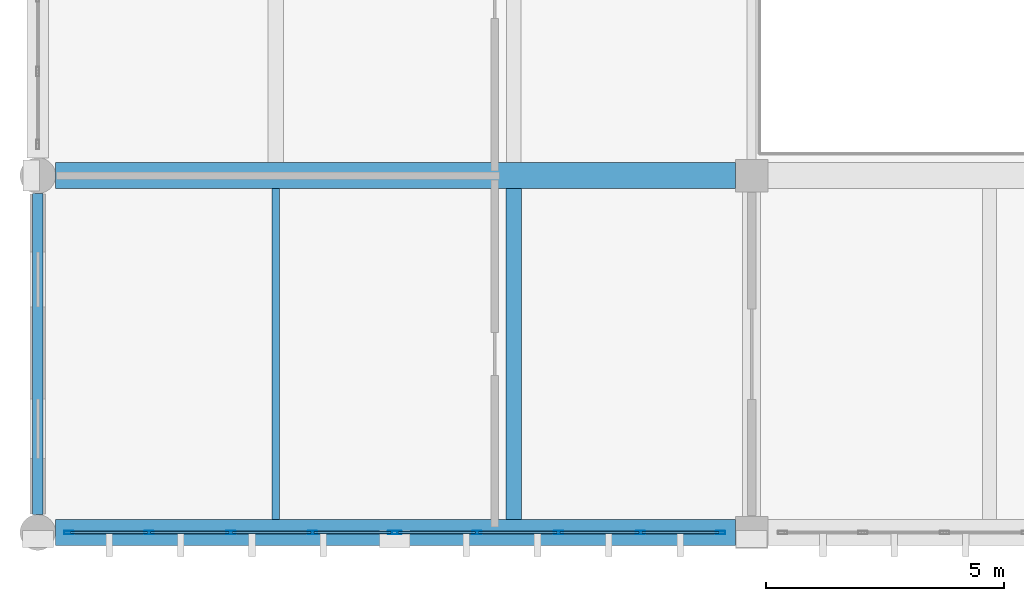
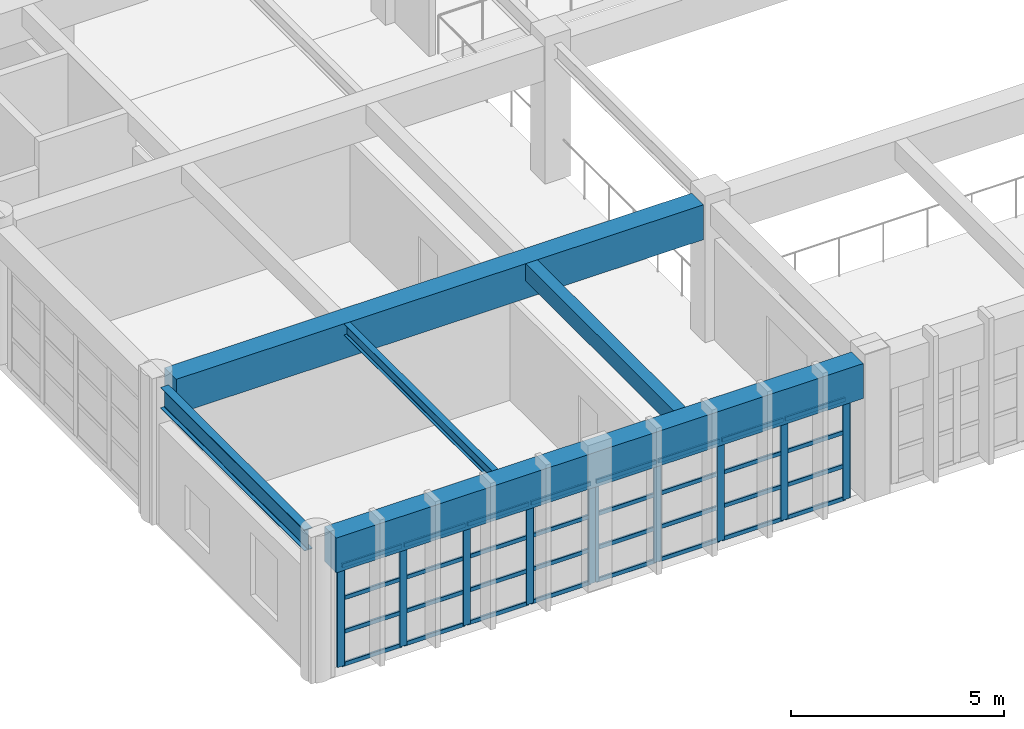
# One storey, part 3 of 132: 42 members, 5 beams, 2 elements without a shape of their own.
"""IFC4 building model written with IfcOpenShell, lengths in metres."""

from ifc_helpers import new_model, si_unit, direction, frame, origin, origin_2d, place, context, subcontext, project, spatial, rectangle, hollow_rectangle, i_section, extrude, material, material_profile, profile_set, type_object, element, aggregate, save


model = new_model("IFC4")

# Units and contexts
model_context = context("Model", 3, precision=1e-05, world=origin(), true_north=direction((0.0, 1.0)))
body_context = subcontext(model_context, "Body", "Model", "MODEL_VIEW")
ifc_project = project(units=[si_unit("LENGTHUNIT", "METRE"), si_unit("AREAUNIT", "SQUARE_METRE"), si_unit("VOLUMEUNIT", "CUBIC_METRE"), si_unit("PLANEANGLEUNIT", "RADIAN"), si_unit("MASSUNIT", "GRAM", prefix="KILO")], contexts=[model_context])

# Site, building, storey
site_placement = place(None, origin())
site = spatial("IfcSite", under=ifc_project, at=site_placement, CompositionType="ELEMENT")
building_placement = place(site_placement, origin())
building = spatial("IfcBuilding", under=site, at=building_placement, Name="Qasida Concert Hall", CompositionType="ELEMENT")
storey_placement = place(building_placement, frame((0.0, 0.0, 4.800048828125)))
storey = spatial("IfcBuildingStorey", under=building, at=storey_placement, Name="L01", CompositionType="ELEMENT", Elevation=4.800048828125)

# Beams
ifc_material_1 = material(Name="Concrete C40/50", Category="concrete")
ifc_material_profile_1 = material_profile(ifc_material_1, rectangle(XDim=0.550048828125, YDim=1.0, at=origin_2d()), Name="RC 550x1000")
ifc_profile_set_1 = profile_set([ifc_material_profile_1], Name="Concrete C40/50")
beam_type_1 = type_object("IfcBeamType", Name="BM-G3", PredefinedType="USERDEFINED", material=ifc_profile_set_1)
for number, where, z_axis, x_axis, name in (
    (1, (0.375, 0.0, 3.419921875), (1.0, 0.0, 0.0), (0.0, 1.0, 0.0), "Primary girder 0896"),
    (2, (0.375, 7.5, 3.419921875), (1.0, 0.0, 0.0), (0.0, 1.0, 0.0), "Primary girder 0899"),
):
    element("IfcBeam", number, at=place(storey_placement, frame(where, z_axis=z_axis, x_axis=x_axis)), inside=storey, type_object=beam_type_1, Name=name, ObjectType="GIRDER", PredefinedType="USERDEFINED", context=body_context, shape_type="SweptSolid", body=[
        extrude(rectangle(XDim=0.550048828125, YDim=1.0, at=origin_2d()), origin(), (0.0, 0.0, 1.0), 14.284912109375),
    ])
ifc_material_2 = material(Name="Steel S355J2", Category="steel")
ifc_material_profile_2 = material_profile(ifc_material_2, i_section(OverallWidth=0.159912109375, OverallDepth=0.330078125, WebThickness=0.007568359375, FlangeThickness=0.011474609375, FilletRadius=0.01806640625, at=origin_2d()), Name="IPE 330")
ifc_profile_set_2 = profile_set([ifc_material_profile_2], Name="Steel S355J2")
beam_type_2 = type_object("IfcBeamType", Name="BM-J5", PredefinedType="JOIST", material=ifc_profile_set_2)
beam_1_placement = place(storey_placement, frame((5.0, 0.27490234375, 3.7548828125), z_axis=(0.0, 1.0, 0.0), x_axis=(-1.0, 0.0, 0.0)))
element("IfcBeam", 3, at=beam_1_placement, inside=storey, type_object=beam_type_2, Name="L01 secondary joist 0948", PredefinedType="JOIST", context=body_context, shape_type="SweptSolid", body=[
    extrude(i_section(OverallWidth=0.159912109375, OverallDepth=0.330078125, WebThickness=0.007568359375, FlangeThickness=0.011474609375, FilletRadius=0.01806640625, at=origin_2d()), origin(), (0.0, 0.0, 1.0), 6.9501953125),
])
ifc_material_profile_3 = material_profile(ifc_material_1, rectangle(XDim=0.320068359375, YDim=0.5, at=origin_2d()), Name="RC 320x500")
ifc_profile_set_3 = profile_set([ifc_material_profile_3], Name="Concrete C40/50")
beam_type_3 = type_object("IfcBeamType", Name="BM-J7", PredefinedType="JOIST", material=ifc_profile_set_3)
beam_2_placement = place(storey_placement, frame((10.0, 0.27490234375, 3.669921875), z_axis=(0.0, 1.0, 0.0), x_axis=(-1.0, 0.0, 0.0)))
element("IfcBeam", 4, at=beam_2_placement, inside=storey, type_object=beam_type_3, Name="L01 secondary joist 0949", PredefinedType="JOIST", context=body_context, shape_type="SweptSolid", body=[
    extrude(rectangle(XDim=0.320068359375, YDim=0.5, at=origin_2d()), origin(), (0.0, 0.0, 1.0), 6.9501953125),
])
ifc_material_profile_4 = material_profile(ifc_material_2, i_section(OverallWidth=0.219970703125, OverallDepth=0.60009765625, WebThickness=0.011962890625, FlangeThickness=0.01904296875, FilletRadius=0.02392578125, at=origin_2d()), Name="IPE 600")
ifc_profile_set_4 = profile_set([ifc_material_profile_4], Name="Steel S355J2")
beam_type_4 = type_object("IfcBeamType", Name="BM-SP3", PredefinedType="SPANDREL", material=ifc_profile_set_4)
beam_3_placement = place(storey_placement, frame((0.0, 0.375, 3.619873046875), z_axis=(0.0, 1.0, 0.0), x_axis=(-1.0, 0.0, 0.0)))
element("IfcBeam", 5, at=beam_3_placement, inside=storey, type_object=beam_type_4, Name="L01 girder 0920", PredefinedType="SPANDREL", context=body_context, shape_type="SweptSolid", body=[
    extrude(i_section(OverallWidth=0.219970703125, OverallDepth=0.60009765625, WebThickness=0.011962890625, FlangeThickness=0.01904296875, FilletRadius=0.02392578125, at=origin_2d()), origin(), (0.0, 0.0, 1.0), 6.75),
])

# Curtain wall, members
ifc_material_3 = material(Name="Architectural bronze-anodized aluminium and low-E glass", Category="aluminium")
curtain_wall_type = type_object("IfcCurtainWallType", Name="CW-07", PredefinedType="NOTDEFINED", material=ifc_material_3)
curtain_wall_1_placement = place(storey_placement, origin())
curtain_wall_1 = element("IfcCurtainWall", 6, at=curtain_wall_1_placement, inside=storey, type_object=curtain_wall_type, Name="L01 curtain wall CW-07 0081", PredefinedType="NOTDEFINED")
ifc_material_4 = material(Name="Architectural bronze-anodized aluminium EN AW-6063", Category="aluminium")
ifc_material_profile_5 = material_profile(ifc_material_4, hollow_rectangle(XDim=0.06494140625, YDim=0.199951171875, WallThickness=0.0048828125, InnerFilletRadius=0.0048828125, OuterFilletRadius=0.010009765625, at=origin_2d()), Name="CWM 200x65x5")
ifc_profile_set_5 = profile_set([ifc_material_profile_5], Name="Architectural bronze-anodized aluminium EN AW-6063")
member_type_1 = type_object("IfcMemberType", Name="MB-CWM-2", PredefinedType="MULLION", material=ifc_profile_set_5)
member_1_placement = place(storey_placement, frame((0.652587890625, 0.0, 0.0), z_axis=(0.0, 0.0, 1.0), x_axis=(0.0, 1.0, 0.0)))
member_1 = element("IfcMember", 7, at=member_1_placement, type_object=member_type_1, Name="CW-07 mullion 1", PredefinedType="MULLION", context=body_context, shape_type="SweptSolid", body=[
    extrude(hollow_rectangle(XDim=0.06494140625, YDim=0.199951171875, WallThickness=0.0048828125, InnerFilletRadius=0.0048828125, OuterFilletRadius=0.010009765625, at=origin_2d()), origin(), (0.0, 0.0, 1.0), 2.889892578125),
])
member_2_placement = place(storey_placement, frame((2.33740234375, 0.0, 0.0), z_axis=(0.0, 0.0, 1.0), x_axis=(0.0, 1.0, 0.0)))
member_2 = element("IfcMember", 8, at=member_2_placement, type_object=member_type_1, Name="CW-07 mullion 2", PredefinedType="MULLION", context=body_context, shape_type="SweptSolid", body=[
    extrude(hollow_rectangle(XDim=0.06494140625, YDim=0.199951171875, WallThickness=0.0048828125, InnerFilletRadius=0.0048828125, OuterFilletRadius=0.010009765625, at=origin_2d()), origin(), (0.0, 0.0, 1.0), 2.889892578125),
])
member_3_placement = place(storey_placement, frame((4.054931640625, 0.0, 0.0), z_axis=(0.0, 0.0, 1.0), x_axis=(0.0, 1.0, 0.0)))
member_3 = element("IfcMember", 9, at=member_3_placement, type_object=member_type_1, Name="CW-07 mullion 3", PredefinedType="MULLION", context=body_context, shape_type="SweptSolid", body=[
    extrude(hollow_rectangle(XDim=0.06494140625, YDim=0.199951171875, WallThickness=0.0048828125, InnerFilletRadius=0.0048828125, OuterFilletRadius=0.010009765625, at=origin_2d()), origin(), (0.0, 0.0, 1.0), 2.889892578125),
])
member_4_placement = place(storey_placement, frame((5.7724609375, 0.0, 0.0), z_axis=(0.0, 0.0, 1.0), x_axis=(0.0, 1.0, 0.0)))
member_4 = element("IfcMember", 10, at=member_4_placement, type_object=member_type_1, Name="CW-07 mullion 4", PredefinedType="MULLION", context=body_context, shape_type="SweptSolid", body=[
    extrude(hollow_rectangle(XDim=0.06494140625, YDim=0.199951171875, WallThickness=0.0048828125, InnerFilletRadius=0.0048828125, OuterFilletRadius=0.010009765625, at=origin_2d()), origin(), (0.0, 0.0, 1.0), 2.889892578125),
])
member_5_placement = place(storey_placement, frame((7.45751953125, 0.0, 0.0), z_axis=(0.0, 0.0, 1.0), x_axis=(0.0, 1.0, 0.0)))
member_5 = element("IfcMember", 11, at=member_5_placement, type_object=member_type_1, Name="CW-07 mullion 5", PredefinedType="MULLION", context=body_context, shape_type="SweptSolid", body=[
    extrude(hollow_rectangle(XDim=0.06494140625, YDim=0.199951171875, WallThickness=0.0048828125, InnerFilletRadius=0.0048828125, OuterFilletRadius=0.010009765625, at=origin_2d()), origin(), (0.0, 0.0, 1.0), 2.889892578125),
])

curtain_wall_2_placement = place(storey_placement, origin())
curtain_wall_2 = element("IfcCurtainWall", 12, at=curtain_wall_2_placement, inside=storey, type_object=curtain_wall_type, Name="L01 curtain wall CW-07 0083", PredefinedType="NOTDEFINED")
member_6_placement = place(storey_placement, frame((7.54248046875, 0.0, 0.0), z_axis=(0.0, 0.0, 1.0), x_axis=(0.0, 1.0, 0.0)))
member_6 = element("IfcMember", 13, at=member_6_placement, type_object=member_type_1, Name="CW-07 mullion 1", PredefinedType="MULLION", context=body_context, shape_type="SweptSolid", body=[
    extrude(hollow_rectangle(XDim=0.06494140625, YDim=0.199951171875, WallThickness=0.0048828125, InnerFilletRadius=0.0048828125, OuterFilletRadius=0.010009765625, at=origin_2d()), origin(), (0.0, 0.0, 1.0), 2.889892578125),
])
member_7_placement = place(storey_placement, frame((9.2275390625, 0.0, 0.0), z_axis=(0.0, 0.0, 1.0), x_axis=(0.0, 1.0, 0.0)))
member_7 = element("IfcMember", 14, at=member_7_placement, type_object=member_type_1, Name="CW-07 mullion 2", PredefinedType="MULLION", context=body_context, shape_type="SweptSolid", body=[
    extrude(hollow_rectangle(XDim=0.06494140625, YDim=0.199951171875, WallThickness=0.0048828125, InnerFilletRadius=0.0048828125, OuterFilletRadius=0.010009765625, at=origin_2d()), origin(), (0.0, 0.0, 1.0), 2.889892578125),
])
member_8_placement = place(storey_placement, frame((10.945068359375, 0.0, 0.0), z_axis=(0.0, 0.0, 1.0), x_axis=(0.0, 1.0, 0.0)))
member_8 = element("IfcMember", 15, at=member_8_placement, type_object=member_type_1, Name="CW-07 mullion 3", PredefinedType="MULLION", context=body_context, shape_type="SweptSolid", body=[
    extrude(hollow_rectangle(XDim=0.06494140625, YDim=0.199951171875, WallThickness=0.0048828125, InnerFilletRadius=0.0048828125, OuterFilletRadius=0.010009765625, at=origin_2d()), origin(), (0.0, 0.0, 1.0), 2.889892578125),
])
member_9_placement = place(storey_placement, frame((12.66259765625, 0.0, 0.0), z_axis=(0.0, 0.0, 1.0), x_axis=(0.0, 1.0, 0.0)))
member_9 = element("IfcMember", 16, at=member_9_placement, type_object=member_type_1, Name="CW-07 mullion 4", PredefinedType="MULLION", context=body_context, shape_type="SweptSolid", body=[
    extrude(hollow_rectangle(XDim=0.06494140625, YDim=0.199951171875, WallThickness=0.0048828125, InnerFilletRadius=0.0048828125, OuterFilletRadius=0.010009765625, at=origin_2d()), origin(), (0.0, 0.0, 1.0), 2.889892578125),
])
member_10_placement = place(storey_placement, frame((14.347412109375, 0.0, 0.0), z_axis=(0.0, 0.0, 1.0), x_axis=(0.0, 1.0, 0.0)))
member_10 = element("IfcMember", 17, at=member_10_placement, type_object=member_type_1, Name="CW-07 mullion 5", PredefinedType="MULLION", context=body_context, shape_type="SweptSolid", body=[
    extrude(hollow_rectangle(XDim=0.06494140625, YDim=0.199951171875, WallThickness=0.0048828125, InnerFilletRadius=0.0048828125, OuterFilletRadius=0.010009765625, at=origin_2d()), origin(), (0.0, 0.0, 1.0), 2.889892578125),
])

# Member
ifc_material_profile_6 = material_profile(ifc_material_4, hollow_rectangle(XDim=0.06005859375, YDim=0.1201171875, WallThickness=0.00390625, InnerFilletRadius=0.00390625, OuterFilletRadius=0.008056640625, at=origin_2d()), Name="CWT 120x60x4")
ifc_profile_set_6 = profile_set([ifc_material_profile_6], Name="Architectural bronze-anodized aluminium EN AW-6063")
member_type_2 = type_object("IfcMemberType", Name="MB-CWT-2", PredefinedType="USERDEFINED", material=ifc_profile_set_6)
member_11_placement = place(storey_placement, frame((0.68505859375, 0.0, 0.030029296875), z_axis=(1.0, 0.0, 0.0), x_axis=(0.0, 1.0, 0.0)))
member_11 = element("IfcMember", 18, at=member_11_placement, type_object=member_type_2, Name="CW-07 transom 1.1", ObjectType="TRANSOM", PredefinedType="USERDEFINED", context=body_context, shape_type="SweptSolid", body=[
    extrude(hollow_rectangle(XDim=0.06005859375, YDim=0.1201171875, WallThickness=0.00390625, InnerFilletRadius=0.00390625, OuterFilletRadius=0.008056640625, at=origin_2d()), origin(), (0.0, 0.0, 1.0), 1.619873046875),
])

member_12_placement = place(storey_placement, frame((0.68505859375, 0.0, 0.963134765625), z_axis=(1.0, 0.0, 0.0), x_axis=(0.0, 1.0, 0.0)))
member_12 = element("IfcMember", 19, at=member_12_placement, type_object=member_type_2, Name="CW-07 transom 1.2", ObjectType="TRANSOM", PredefinedType="USERDEFINED", context=body_context, shape_type="SweptSolid", body=[
    extrude(hollow_rectangle(XDim=0.06005859375, YDim=0.1201171875, WallThickness=0.00390625, InnerFilletRadius=0.00390625, OuterFilletRadius=0.008056640625, at=origin_2d()), origin(), (0.0, 0.0, 1.0), 1.619873046875),
])

member_13_placement = place(storey_placement, frame((0.68505859375, 0.0, 1.9267578125), z_axis=(1.0, 0.0, 0.0), x_axis=(0.0, 1.0, 0.0)))
member_13 = element("IfcMember", 20, at=member_13_placement, type_object=member_type_2, Name="CW-07 transom 1.3", ObjectType="TRANSOM", PredefinedType="USERDEFINED", context=body_context, shape_type="SweptSolid", body=[
    extrude(hollow_rectangle(XDim=0.06005859375, YDim=0.1201171875, WallThickness=0.00390625, InnerFilletRadius=0.00390625, OuterFilletRadius=0.008056640625, at=origin_2d()), origin(), (0.0, 0.0, 1.0), 1.619873046875),
])

member_14_placement = place(storey_placement, frame((0.68505859375, 0.0, 2.85986328125), z_axis=(1.0, 0.0, 0.0), x_axis=(0.0, 1.0, 0.0)))
member_14 = element("IfcMember", 21, at=member_14_placement, type_object=member_type_2, Name="CW-07 transom 1.4", ObjectType="TRANSOM", PredefinedType="USERDEFINED", context=body_context, shape_type="SweptSolid", body=[
    extrude(hollow_rectangle(XDim=0.06005859375, YDim=0.1201171875, WallThickness=0.00390625, InnerFilletRadius=0.00390625, OuterFilletRadius=0.008056640625, at=origin_2d()), origin(), (0.0, 0.0, 1.0), 1.619873046875),
])

member_15_placement = place(storey_placement, frame((2.3701171875, 0.0, 0.030029296875), z_axis=(1.0, 0.0, 0.0), x_axis=(0.0, 1.0, 0.0)))
member_15 = element("IfcMember", 22, at=member_15_placement, type_object=member_type_2, Name="CW-07 transom 2.1", ObjectType="TRANSOM", PredefinedType="USERDEFINED", context=body_context, shape_type="SweptSolid", body=[
    extrude(hollow_rectangle(XDim=0.06005859375, YDim=0.1201171875, WallThickness=0.00390625, InnerFilletRadius=0.00390625, OuterFilletRadius=0.008056640625, at=origin_2d()), origin(), (0.0, 0.0, 1.0), 1.65234375),
])

member_16_placement = place(storey_placement, frame((2.3701171875, 0.0, 0.963134765625), z_axis=(1.0, 0.0, 0.0), x_axis=(0.0, 1.0, 0.0)))
member_16 = element("IfcMember", 23, at=member_16_placement, type_object=member_type_2, Name="CW-07 transom 2.2", ObjectType="TRANSOM", PredefinedType="USERDEFINED", context=body_context, shape_type="SweptSolid", body=[
    extrude(hollow_rectangle(XDim=0.06005859375, YDim=0.1201171875, WallThickness=0.00390625, InnerFilletRadius=0.00390625, OuterFilletRadius=0.008056640625, at=origin_2d()), origin(), (0.0, 0.0, 1.0), 1.65234375),
])

member_17_placement = place(storey_placement, frame((2.3701171875, 0.0, 1.9267578125), z_axis=(1.0, 0.0, 0.0), x_axis=(0.0, 1.0, 0.0)))
member_17 = element("IfcMember", 24, at=member_17_placement, type_object=member_type_2, Name="CW-07 transom 2.3", ObjectType="TRANSOM", PredefinedType="USERDEFINED", context=body_context, shape_type="SweptSolid", body=[
    extrude(hollow_rectangle(XDim=0.06005859375, YDim=0.1201171875, WallThickness=0.00390625, InnerFilletRadius=0.00390625, OuterFilletRadius=0.008056640625, at=origin_2d()), origin(), (0.0, 0.0, 1.0), 1.65234375),
])

member_18_placement = place(storey_placement, frame((2.3701171875, 0.0, 2.85986328125), z_axis=(1.0, 0.0, 0.0), x_axis=(0.0, 1.0, 0.0)))
member_18 = element("IfcMember", 25, at=member_18_placement, type_object=member_type_2, Name="CW-07 transom 2.4", ObjectType="TRANSOM", PredefinedType="USERDEFINED", context=body_context, shape_type="SweptSolid", body=[
    extrude(hollow_rectangle(XDim=0.06005859375, YDim=0.1201171875, WallThickness=0.00390625, InnerFilletRadius=0.00390625, OuterFilletRadius=0.008056640625, at=origin_2d()), origin(), (0.0, 0.0, 1.0), 1.65234375),
])

member_19_placement = place(storey_placement, frame((4.08740234375, 0.0, 0.030029296875), z_axis=(1.0, 0.0, 0.0), x_axis=(0.0, 1.0, 0.0)))
member_19 = element("IfcMember", 26, at=member_19_placement, type_object=member_type_2, Name="CW-07 transom 3.1", ObjectType="TRANSOM", PredefinedType="USERDEFINED", context=body_context, shape_type="SweptSolid", body=[
    extrude(hollow_rectangle(XDim=0.06005859375, YDim=0.1201171875, WallThickness=0.00390625, InnerFilletRadius=0.00390625, OuterFilletRadius=0.008056640625, at=origin_2d()), origin(), (0.0, 0.0, 1.0), 1.652587890625),
])

member_20_placement = place(storey_placement, frame((4.08740234375, 0.0, 0.963134765625), z_axis=(1.0, 0.0, 0.0), x_axis=(0.0, 1.0, 0.0)))
member_20 = element("IfcMember", 27, at=member_20_placement, type_object=member_type_2, Name="CW-07 transom 3.2", ObjectType="TRANSOM", PredefinedType="USERDEFINED", context=body_context, shape_type="SweptSolid", body=[
    extrude(hollow_rectangle(XDim=0.06005859375, YDim=0.1201171875, WallThickness=0.00390625, InnerFilletRadius=0.00390625, OuterFilletRadius=0.008056640625, at=origin_2d()), origin(), (0.0, 0.0, 1.0), 1.652587890625),
])

member_21_placement = place(storey_placement, frame((4.08740234375, 0.0, 1.9267578125), z_axis=(1.0, 0.0, 0.0), x_axis=(0.0, 1.0, 0.0)))
member_21 = element("IfcMember", 28, at=member_21_placement, type_object=member_type_2, Name="CW-07 transom 3.3", ObjectType="TRANSOM", PredefinedType="USERDEFINED", context=body_context, shape_type="SweptSolid", body=[
    extrude(hollow_rectangle(XDim=0.06005859375, YDim=0.1201171875, WallThickness=0.00390625, InnerFilletRadius=0.00390625, OuterFilletRadius=0.008056640625, at=origin_2d()), origin(), (0.0, 0.0, 1.0), 1.652587890625),
])

member_22_placement = place(storey_placement, frame((4.08740234375, 0.0, 2.85986328125), z_axis=(1.0, 0.0, 0.0), x_axis=(0.0, 1.0, 0.0)))
member_22 = element("IfcMember", 29, at=member_22_placement, type_object=member_type_2, Name="CW-07 transom 3.4", ObjectType="TRANSOM", PredefinedType="USERDEFINED", context=body_context, shape_type="SweptSolid", body=[
    extrude(hollow_rectangle(XDim=0.06005859375, YDim=0.1201171875, WallThickness=0.00390625, InnerFilletRadius=0.00390625, OuterFilletRadius=0.008056640625, at=origin_2d()), origin(), (0.0, 0.0, 1.0), 1.652587890625),
])

member_23_placement = place(storey_placement, frame((5.804931640625, 0.0, 0.030029296875), z_axis=(1.0, 0.0, 0.0), x_axis=(0.0, 1.0, 0.0)))
member_23 = element("IfcMember", 30, at=member_23_placement, type_object=member_type_2, Name="CW-07 transom 4.1", ObjectType="TRANSOM", PredefinedType="USERDEFINED", context=body_context, shape_type="SweptSolid", body=[
    extrude(hollow_rectangle(XDim=0.06005859375, YDim=0.1201171875, WallThickness=0.00390625, InnerFilletRadius=0.00390625, OuterFilletRadius=0.008056640625, at=origin_2d()), origin(), (0.0, 0.0, 1.0), 1.6201171875),
])

member_24_placement = place(storey_placement, frame((5.804931640625, 0.0, 0.963134765625), z_axis=(1.0, 0.0, 0.0), x_axis=(0.0, 1.0, 0.0)))
member_24 = element("IfcMember", 31, at=member_24_placement, type_object=member_type_2, Name="CW-07 transom 4.2", ObjectType="TRANSOM", PredefinedType="USERDEFINED", context=body_context, shape_type="SweptSolid", body=[
    extrude(hollow_rectangle(XDim=0.06005859375, YDim=0.1201171875, WallThickness=0.00390625, InnerFilletRadius=0.00390625, OuterFilletRadius=0.008056640625, at=origin_2d()), origin(), (0.0, 0.0, 1.0), 1.6201171875),
])

member_25_placement = place(storey_placement, frame((5.804931640625, 0.0, 1.9267578125), z_axis=(1.0, 0.0, 0.0), x_axis=(0.0, 1.0, 0.0)))
member_25 = element("IfcMember", 32, at=member_25_placement, type_object=member_type_2, Name="CW-07 transom 4.3", ObjectType="TRANSOM", PredefinedType="USERDEFINED", context=body_context, shape_type="SweptSolid", body=[
    extrude(hollow_rectangle(XDim=0.06005859375, YDim=0.1201171875, WallThickness=0.00390625, InnerFilletRadius=0.00390625, OuterFilletRadius=0.008056640625, at=origin_2d()), origin(), (0.0, 0.0, 1.0), 1.6201171875),
])

member_26_placement = place(storey_placement, frame((5.804931640625, 0.0, 2.85986328125), z_axis=(1.0, 0.0, 0.0), x_axis=(0.0, 1.0, 0.0)))
member_26 = element("IfcMember", 33, at=member_26_placement, type_object=member_type_2, Name="CW-07 transom 4.4", ObjectType="TRANSOM", PredefinedType="USERDEFINED", context=body_context, shape_type="SweptSolid", body=[
    extrude(hollow_rectangle(XDim=0.06005859375, YDim=0.1201171875, WallThickness=0.00390625, InnerFilletRadius=0.00390625, OuterFilletRadius=0.008056640625, at=origin_2d()), origin(), (0.0, 0.0, 1.0), 1.6201171875),
])

aggregate(curtain_wall_1, [member_1, member_2, member_3, member_4, member_5, member_11, member_12, member_13, member_14, member_15, member_16, member_17, member_18, member_19, member_20, member_21, member_22, member_23, member_24, member_25, member_26])

member_27_placement = place(storey_placement, frame((7.574951171875, 0.0, 0.030029296875), z_axis=(1.0, 0.0, 0.0), x_axis=(0.0, 1.0, 0.0)))
member_27 = element("IfcMember", 34, at=member_27_placement, type_object=member_type_2, Name="CW-07 transom 1.1", ObjectType="TRANSOM", PredefinedType="USERDEFINED", context=body_context, shape_type="SweptSolid", body=[
    extrude(hollow_rectangle(XDim=0.06005859375, YDim=0.1201171875, WallThickness=0.00390625, InnerFilletRadius=0.00390625, OuterFilletRadius=0.008056640625, at=origin_2d()), origin(), (0.0, 0.0, 1.0), 1.6201171875),
])

member_28_placement = place(storey_placement, frame((7.574951171875, 0.0, 0.963134765625), z_axis=(1.0, 0.0, 0.0), x_axis=(0.0, 1.0, 0.0)))
member_28 = element("IfcMember", 35, at=member_28_placement, type_object=member_type_2, Name="CW-07 transom 1.2", ObjectType="TRANSOM", PredefinedType="USERDEFINED", context=body_context, shape_type="SweptSolid", body=[
    extrude(hollow_rectangle(XDim=0.06005859375, YDim=0.1201171875, WallThickness=0.00390625, InnerFilletRadius=0.00390625, OuterFilletRadius=0.008056640625, at=origin_2d()), origin(), (0.0, 0.0, 1.0), 1.6201171875),
])

member_29_placement = place(storey_placement, frame((7.574951171875, 0.0, 1.9267578125), z_axis=(1.0, 0.0, 0.0), x_axis=(0.0, 1.0, 0.0)))
member_29 = element("IfcMember", 36, at=member_29_placement, type_object=member_type_2, Name="CW-07 transom 1.3", ObjectType="TRANSOM", PredefinedType="USERDEFINED", context=body_context, shape_type="SweptSolid", body=[
    extrude(hollow_rectangle(XDim=0.06005859375, YDim=0.1201171875, WallThickness=0.00390625, InnerFilletRadius=0.00390625, OuterFilletRadius=0.008056640625, at=origin_2d()), origin(), (0.0, 0.0, 1.0), 1.6201171875),
])

member_30_placement = place(storey_placement, frame((7.574951171875, 0.0, 2.85986328125), z_axis=(1.0, 0.0, 0.0), x_axis=(0.0, 1.0, 0.0)))
member_30 = element("IfcMember", 37, at=member_30_placement, type_object=member_type_2, Name="CW-07 transom 1.4", ObjectType="TRANSOM", PredefinedType="USERDEFINED", context=body_context, shape_type="SweptSolid", body=[
    extrude(hollow_rectangle(XDim=0.06005859375, YDim=0.1201171875, WallThickness=0.00390625, InnerFilletRadius=0.00390625, OuterFilletRadius=0.008056640625, at=origin_2d()), origin(), (0.0, 0.0, 1.0), 1.6201171875),
])

member_31_placement = place(storey_placement, frame((9.260009765625, 0.0, 0.030029296875), z_axis=(1.0, 0.0, 0.0), x_axis=(0.0, 1.0, 0.0)))
member_31 = element("IfcMember", 38, at=member_31_placement, type_object=member_type_2, Name="CW-07 transom 2.1", ObjectType="TRANSOM", PredefinedType="USERDEFINED", context=body_context, shape_type="SweptSolid", body=[
    extrude(hollow_rectangle(XDim=0.06005859375, YDim=0.1201171875, WallThickness=0.00390625, InnerFilletRadius=0.00390625, OuterFilletRadius=0.008056640625, at=origin_2d()), origin(), (0.0, 0.0, 1.0), 1.652587890625),
])

member_32_placement = place(storey_placement, frame((9.260009765625, 0.0, 0.963134765625), z_axis=(1.0, 0.0, 0.0), x_axis=(0.0, 1.0, 0.0)))
member_32 = element("IfcMember", 39, at=member_32_placement, type_object=member_type_2, Name="CW-07 transom 2.2", ObjectType="TRANSOM", PredefinedType="USERDEFINED", context=body_context, shape_type="SweptSolid", body=[
    extrude(hollow_rectangle(XDim=0.06005859375, YDim=0.1201171875, WallThickness=0.00390625, InnerFilletRadius=0.00390625, OuterFilletRadius=0.008056640625, at=origin_2d()), origin(), (0.0, 0.0, 1.0), 1.652587890625),
])

member_33_placement = place(storey_placement, frame((9.260009765625, 0.0, 1.9267578125), z_axis=(1.0, 0.0, 0.0), x_axis=(0.0, 1.0, 0.0)))
member_33 = element("IfcMember", 40, at=member_33_placement, type_object=member_type_2, Name="CW-07 transom 2.3", ObjectType="TRANSOM", PredefinedType="USERDEFINED", context=body_context, shape_type="SweptSolid", body=[
    extrude(hollow_rectangle(XDim=0.06005859375, YDim=0.1201171875, WallThickness=0.00390625, InnerFilletRadius=0.00390625, OuterFilletRadius=0.008056640625, at=origin_2d()), origin(), (0.0, 0.0, 1.0), 1.652587890625),
])

member_34_placement = place(storey_placement, frame((9.260009765625, 0.0, 2.85986328125), z_axis=(1.0, 0.0, 0.0), x_axis=(0.0, 1.0, 0.0)))
member_34 = element("IfcMember", 41, at=member_34_placement, type_object=member_type_2, Name="CW-07 transom 2.4", ObjectType="TRANSOM", PredefinedType="USERDEFINED", context=body_context, shape_type="SweptSolid", body=[
    extrude(hollow_rectangle(XDim=0.06005859375, YDim=0.1201171875, WallThickness=0.00390625, InnerFilletRadius=0.00390625, OuterFilletRadius=0.008056640625, at=origin_2d()), origin(), (0.0, 0.0, 1.0), 1.652587890625),
])

member_35_placement = place(storey_placement, frame((10.9775390625, 0.0, 0.030029296875), z_axis=(1.0, 0.0, 0.0), x_axis=(0.0, 1.0, 0.0)))
member_35 = element("IfcMember", 42, at=member_35_placement, type_object=member_type_2, Name="CW-07 transom 3.1", ObjectType="TRANSOM", PredefinedType="USERDEFINED", context=body_context, shape_type="SweptSolid", body=[
    extrude(hollow_rectangle(XDim=0.06005859375, YDim=0.1201171875, WallThickness=0.00390625, InnerFilletRadius=0.00390625, OuterFilletRadius=0.008056640625, at=origin_2d()), origin(), (0.0, 0.0, 1.0), 1.65234375),
])

member_36_placement = place(storey_placement, frame((10.9775390625, 0.0, 0.963134765625), z_axis=(1.0, 0.0, 0.0), x_axis=(0.0, 1.0, 0.0)))
member_36 = element("IfcMember", 43, at=member_36_placement, type_object=member_type_2, Name="CW-07 transom 3.2", ObjectType="TRANSOM", PredefinedType="USERDEFINED", context=body_context, shape_type="SweptSolid", body=[
    extrude(hollow_rectangle(XDim=0.06005859375, YDim=0.1201171875, WallThickness=0.00390625, InnerFilletRadius=0.00390625, OuterFilletRadius=0.008056640625, at=origin_2d()), origin(), (0.0, 0.0, 1.0), 1.65234375),
])

member_37_placement = place(storey_placement, frame((10.9775390625, 0.0, 1.9267578125), z_axis=(1.0, 0.0, 0.0), x_axis=(0.0, 1.0, 0.0)))
member_37 = element("IfcMember", 44, at=member_37_placement, type_object=member_type_2, Name="CW-07 transom 3.3", ObjectType="TRANSOM", PredefinedType="USERDEFINED", context=body_context, shape_type="SweptSolid", body=[
    extrude(hollow_rectangle(XDim=0.06005859375, YDim=0.1201171875, WallThickness=0.00390625, InnerFilletRadius=0.00390625, OuterFilletRadius=0.008056640625, at=origin_2d()), origin(), (0.0, 0.0, 1.0), 1.65234375),
])

member_38_placement = place(storey_placement, frame((10.9775390625, 0.0, 2.85986328125), z_axis=(1.0, 0.0, 0.0), x_axis=(0.0, 1.0, 0.0)))
member_38 = element("IfcMember", 45, at=member_38_placement, type_object=member_type_2, Name="CW-07 transom 3.4", ObjectType="TRANSOM", PredefinedType="USERDEFINED", context=body_context, shape_type="SweptSolid", body=[
    extrude(hollow_rectangle(XDim=0.06005859375, YDim=0.1201171875, WallThickness=0.00390625, InnerFilletRadius=0.00390625, OuterFilletRadius=0.008056640625, at=origin_2d()), origin(), (0.0, 0.0, 1.0), 1.65234375),
])

member_39_placement = place(storey_placement, frame((12.695068359375, 0.0, 0.030029296875), z_axis=(1.0, 0.0, 0.0), x_axis=(0.0, 1.0, 0.0)))
member_39 = element("IfcMember", 46, at=member_39_placement, type_object=member_type_2, Name="CW-07 transom 4.1", ObjectType="TRANSOM", PredefinedType="USERDEFINED", context=body_context, shape_type="SweptSolid", body=[
    extrude(hollow_rectangle(XDim=0.06005859375, YDim=0.1201171875, WallThickness=0.00390625, InnerFilletRadius=0.00390625, OuterFilletRadius=0.008056640625, at=origin_2d()), origin(), (0.0, 0.0, 1.0), 1.619873046875),
])

member_40_placement = place(storey_placement, frame((12.695068359375, 0.0, 0.963134765625), z_axis=(1.0, 0.0, 0.0), x_axis=(0.0, 1.0, 0.0)))
member_40 = element("IfcMember", 47, at=member_40_placement, type_object=member_type_2, Name="CW-07 transom 4.2", ObjectType="TRANSOM", PredefinedType="USERDEFINED", context=body_context, shape_type="SweptSolid", body=[
    extrude(hollow_rectangle(XDim=0.06005859375, YDim=0.1201171875, WallThickness=0.00390625, InnerFilletRadius=0.00390625, OuterFilletRadius=0.008056640625, at=origin_2d()), origin(), (0.0, 0.0, 1.0), 1.619873046875),
])

member_41_placement = place(storey_placement, frame((12.695068359375, 0.0, 1.9267578125), z_axis=(1.0, 0.0, 0.0), x_axis=(0.0, 1.0, 0.0)))
member_41 = element("IfcMember", 48, at=member_41_placement, type_object=member_type_2, Name="CW-07 transom 4.3", ObjectType="TRANSOM", PredefinedType="USERDEFINED", context=body_context, shape_type="SweptSolid", body=[
    extrude(hollow_rectangle(XDim=0.06005859375, YDim=0.1201171875, WallThickness=0.00390625, InnerFilletRadius=0.00390625, OuterFilletRadius=0.008056640625, at=origin_2d()), origin(), (0.0, 0.0, 1.0), 1.619873046875),
])

member_42_placement = place(storey_placement, frame((12.695068359375, 0.0, 2.85986328125), z_axis=(1.0, 0.0, 0.0), x_axis=(0.0, 1.0, 0.0)))
member_42 = element("IfcMember", 49, at=member_42_placement, type_object=member_type_2, Name="CW-07 transom 4.4", ObjectType="TRANSOM", PredefinedType="USERDEFINED", context=body_context, shape_type="SweptSolid", body=[
    extrude(hollow_rectangle(XDim=0.06005859375, YDim=0.1201171875, WallThickness=0.00390625, InnerFilletRadius=0.00390625, OuterFilletRadius=0.008056640625, at=origin_2d()), origin(), (0.0, 0.0, 1.0), 1.619873046875),
])

aggregate(curtain_wall_2, [member_6, member_7, member_8, member_9, member_10, member_27, member_28, member_29, member_30, member_31, member_32, member_33, member_34, member_35, member_36, member_37, member_38, member_39, member_40, member_41, member_42])

save(model, "model.ifc")
